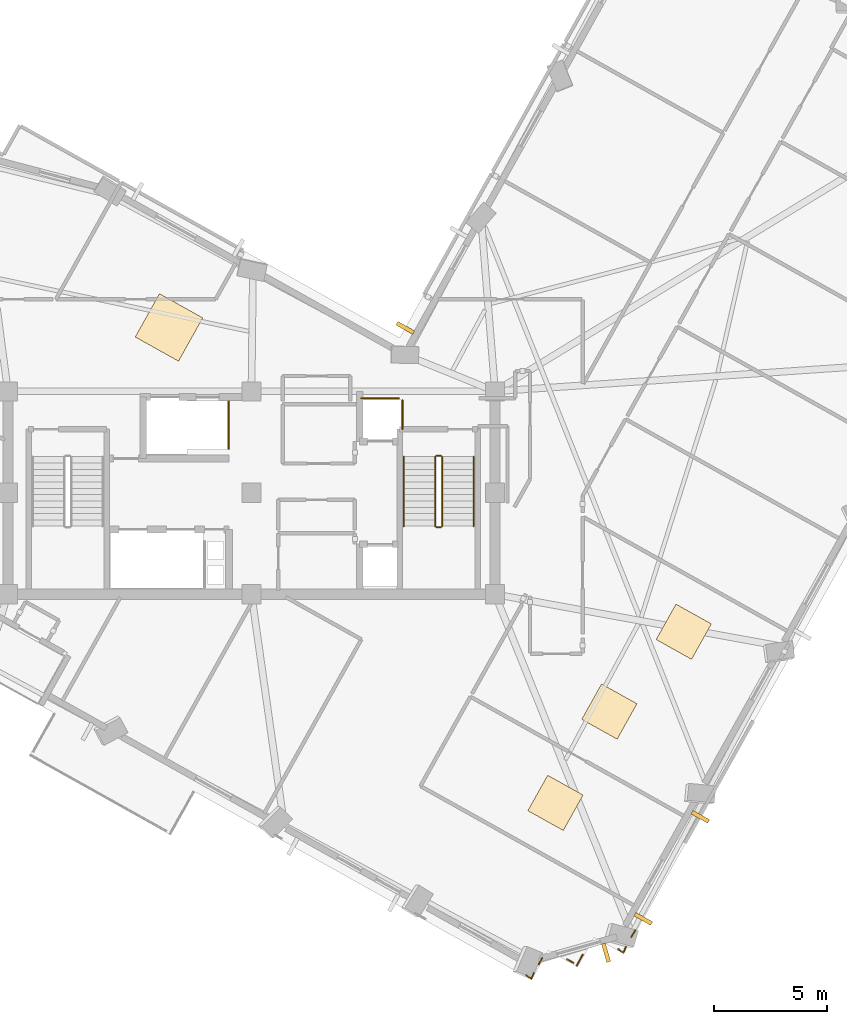
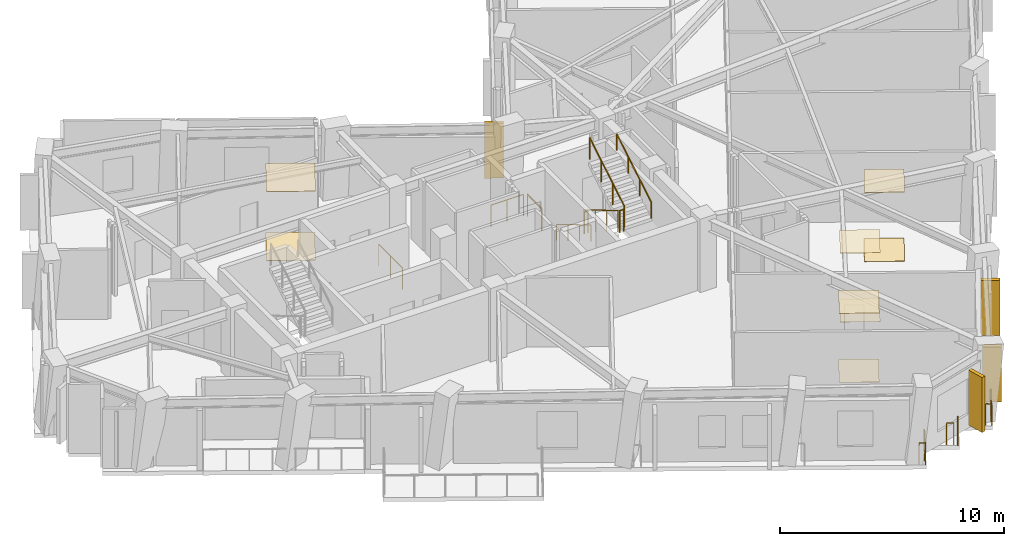
# One storey, part 9 of 11: 15 railings, 8 coverings, 4 shading devices.
"""IFC4 building model written with IfcOpenShell, lengths in metres."""

from ifc_helpers import new_model, si_unit, direction, frame, origin, origin_2d, place, context, subcontext, project, spatial, rectangle, circle, extrude, material, layer, layer_set, type_object, element, save


model = new_model("IFC4")

# Units and contexts
model_context = context("Model", 3, precision=1e-05, world=origin(), true_north=direction((0.0, 1.0)))
body_context = subcontext(model_context, "Body", "Model", "MODEL_VIEW")
ifc_project = project(units=[si_unit("LENGTHUNIT", "METRE"), si_unit("AREAUNIT", "SQUARE_METRE"), si_unit("VOLUMEUNIT", "CUBIC_METRE"), si_unit("PLANEANGLEUNIT", "RADIAN"), si_unit("MASSUNIT", "GRAM", prefix="KILO")], contexts=[model_context])

# Site, building, storey
site_placement = place(None, origin())
site = spatial("IfcSite", under=ifc_project, at=site_placement, CompositionType="ELEMENT")
building_placement = place(site_placement, origin())
building = spatial("IfcBuilding", under=site, at=building_placement, Name="Gaonmaruhae Medical Tower", CompositionType="ELEMENT")
storey_placement = place(building_placement, frame((0.0, 0.0, 284.60009765625)))
storey = spatial("IfcBuildingStorey", under=building, at=storey_placement, Name="L68", CompositionType="ELEMENT", Elevation=284.60009765625)

# Coverings
ifc_material_1 = material(Name="Acoustic mineral ceiling tile", Category="finish")
ifc_layer_1 = layer(ifc_material_1, 0.02490234375)
ifc_layer_set_1 = layer_set([ifc_layer_1], Name="Acoustic mineral ceiling tile")
covering_type_1 = type_object("IfcCoveringType", Name="CLG-01 Antimicrobial Acoustic Mineral Ceiling", PredefinedType="CEILING", material=ifc_layer_set_1)
covering_1_placement = place(storey_placement, frame((21.141845703125, 19.633544921875, 3.7548828125), z_axis=(0.0, 0.0, 1.0), x_axis=(0.487859659139, 0.87292207727, 0.0)))
element("IfcCovering", 1, at=covering_1_placement, inside=storey, type_object=covering_type_1, Name="L68 Clinical Corridor Acoustic Ceiling", PredefinedType="CEILING", context=body_context, shape_type="SweptSolid", body=[
    extrude(rectangle(XDim=2.199951171875, YDim=2.199951171875, at=origin_2d()), origin(), (0.0, 0.0, 1.0), 0.02490234375),
])
for number, where, z_axis, x_axis, name in (
    (2, (38.279052734375, -1.4482421875, 3.7548828125), (0.0, 0.0, 1.0), (0.487859659139, 0.87292207727, 0.0), "L68 Clinical Room Acoustic Ceiling 2"),
    (3, (40.66796875, 2.6005859375, 3.7548828125), (0.0, 0.0, 1.0), (0.487859659139, 0.87292207727, 0.0), "L68 Clinical Room Acoustic Ceiling 3"),
    (4, (43.967529296875, 6.140869140625, 3.7548828125), (0.0, 0.0, 1.0), (0.487859659139, 0.87292207727, 0.0), "L68 Clinical Room Acoustic Ceiling 4"),
):
    element("IfcCovering", number, at=place(storey_placement, frame(where, z_axis=z_axis, x_axis=x_axis)), inside=storey, type_object=covering_type_1, Name=name, PredefinedType="CEILING", context=body_context, shape_type="SweptSolid", body=[
        extrude(rectangle(XDim=1.800048828125, YDim=1.800048828125, at=origin_2d()), origin(), (0.0, 0.0, 1.0), 0.02490234375),
    ])
ifc_material_2 = material(Name="Seamless clinical vinyl flooring", Category="finish")
ifc_layer_2 = layer(ifc_material_2, 0.014892578125)
ifc_layer_set_2 = layer_set([ifc_layer_2], Name="Seamless clinical vinyl flooring")
covering_type_2 = type_object("IfcCoveringType", Name="FLR-01 Seamless Clinical Antistatic Vinyl Flooring", PredefinedType="FLOORING", material=ifc_layer_set_2)
covering_2_placement = place(storey_placement, frame((21.141845703125, 19.633544921875, 0.00048828125), z_axis=(0.0, 0.0, 1.0), x_axis=(0.487859659139, 0.87292207727, 0.0)))
element("IfcCovering", 5, at=covering_2_placement, inside=storey, type_object=covering_type_2, Name="L68 Clinical Corridor Vinyl Flooring", PredefinedType="FLOORING", context=body_context, shape_type="SweptSolid", body=[
    extrude(rectangle(XDim=2.199951171875, YDim=2.199951171875, at=origin_2d()), origin(), (0.0, 0.0, 1.0), 0.014892578125),
])
for number, where, z_axis, x_axis, name in (
    (6, (38.279052734375, -1.4482421875, 0.0), (0.0, 0.0, 1.0), (0.487859659139, 0.87292207727, 0.0), "L68 Clinical Room Vinyl Flooring 2"),
    (7, (40.66796875, 2.6005859375, 0.0), (0.0, 0.0, 1.0), (0.487859659139, 0.87292207727, 0.0), "L68 Clinical Room Vinyl Flooring 3"),
    (8, (43.967529296875, 6.140869140625, 0.0), (0.0, 0.0, 1.0), (0.487859659139, 0.87292207727, 0.0), "L68 Clinical Room Vinyl Flooring 4"),
):
    element("IfcCovering", number, at=place(storey_placement, frame(where, z_axis=z_axis, x_axis=x_axis)), inside=storey, type_object=covering_type_2, Name=name, PredefinedType="FLOORING", context=body_context, shape_type="SweptSolid", body=[
        extrude(rectangle(XDim=1.800048828125, YDim=1.800048828125, at=origin_2d()), origin(), (0.0, 0.0, 1.0), 0.014892578125),
    ])

# Railings
ifc_material_3 = material(Name="Stainless steel 316L and laminated safety glass", Category="steel")
ifc_layer_3 = layer(ifc_material_3, 0.080078125)
ifc_layer_set_3 = layer_set([ifc_layer_3], Name="Stainless steel 316L and laminated safety glass")
railing_type_1 = type_object("IfcRailingType", Name="GD-120 Outdoor Terrace Safety Glass & Steel Balustrade", PredefinedType="BALUSTRADE", material=ifc_layer_set_3)
railing_1_placement = place(storey_placement, frame((41.810302734375, -7.1005859375, 0.0)))
element("IfcRailing", 9, at=railing_1_placement, inside=storey, type_object=railing_type_1, Name="L68 Perimeter Slab Edge Safety Balustrade 05", PredefinedType="BALUSTRADE", context=body_context, shape_type="SweptSolid", body=[
    extrude(circle(Radius=0.02392578125, at=origin_2d()), frame((0.0, 0.0, 1.17578125), z_axis=(-0.487837460282, -0.872934483421, 0.0), x_axis=(0.872934483421, -0.487837460282, 0.0)), (0.0, 0.0, 1.0), 0.33984375),
    extrude(circle(Radius=0.02099609375, at=origin_2d()), origin(), (0.0, 0.0, 1.0), 1.15185546875),
    extrude(circle(Radius=0.02099609375, at=origin_2d()), frame((-0.165771484375, -0.296630859375, 0.0)), (0.0, 0.0, 1.0), 1.15185546875),
])
railing_2_placement = place(storey_placement, frame((39.48681640625, -8.183349609375, 0.0)))
element("IfcRailing", 10, at=railing_2_placement, inside=storey, type_object=railing_type_1, Name="L68 Perimeter Slab Edge Safety Balustrade 06", PredefinedType="BALUSTRADE", context=body_context, shape_type="SweptSolid", body=[
    extrude(circle(Radius=0.02392578125, at=origin_2d()), frame((0.0, 0.0, 1.17578125), z_axis=(-0.487899533544, -0.872899791023, 0.0), x_axis=(0.872899791023, -0.487899533544, 0.0)), (0.0, 0.0, 1.0), 0.56005859375),
    extrude(circle(Radius=0.02099609375, at=origin_2d()), origin(), (0.0, 0.0, 1.0), 1.15185546875),
    extrude(circle(Radius=0.02099609375, at=origin_2d()), frame((-0.273193359375, -0.48876953125, 0.0)), (0.0, 0.0, 1.0), 1.15185546875),
])
railing_3_placement = place(storey_placement, frame((39.077880859375, -8.5390625, 0.0)))
element("IfcRailing", 11, at=railing_3_placement, inside=storey, type_object=railing_type_1, Name="L68 Perimeter Slab Edge Safety Balustrade 07", PredefinedType="BALUSTRADE", context=body_context, shape_type="SweptSolid", body=[
    extrude(circle(Radius=0.02392578125, at=origin_2d()), frame((0.0, 0.0, 1.17578125), z_axis=(-0.873168105666, 0.487419182273, 0.0), x_axis=(-0.487419182273, -0.873168105666, 0.0)), (0.0, 0.0, 1.0), 0.32666015625),
    extrude(circle(Radius=0.02099609375, at=origin_2d()), origin(), (0.0, 0.0, 1.0), 1.15185546875),
    extrude(circle(Radius=0.02099609375, at=origin_2d()), frame((-0.28515625, 0.1591796875, 0.0)), (0.0, 0.0, 1.0), 1.15185546875),
])
railing_4_placement = place(storey_placement, frame((37.689697265625, -8.324462890625, 0.0)))
element("IfcRailing", 12, at=railing_4_placement, inside=storey, type_object=railing_type_1, Name="L68 Perimeter Slab Edge Safety Balustrade 08", PredefinedType="BALUSTRADE", context=body_context, shape_type="SweptSolid", body=[
    extrude(circle(Radius=0.02392578125, at=origin_2d()), frame((0.0, 0.0, 1.17578125), z_axis=(-0.487988839134, -0.872849868466, 0.0), x_axis=(0.872849868466, -0.487988839134, 0.0)), (0.0, 0.0, 1.0), 0.32666015625),
    extrude(circle(Radius=0.02099609375, at=origin_2d()), origin(), (0.0, 0.0, 1.0), 1.15185546875),
    extrude(circle(Radius=0.02099609375, at=origin_2d()), frame((-0.159423828125, -0.28515625, 0.0)), (0.0, 0.0, 1.0), 1.15185546875),
])
railing_5_placement = place(storey_placement, frame((41.401123046875, -7.832763671875, 0.0)))
element("IfcRailing", 13, at=railing_5_placement, inside=storey, type_object=railing_type_1, Name="L68 Perimeter Corner Safety Balustrade 14", PredefinedType="BALUSTRADE", context=body_context, shape_type="SweptSolid", body=[
    extrude(circle(Radius=0.02392578125, at=origin_2d()), frame((0.0, 0.0, 1.17578125), z_axis=(-0.378268727603, -0.925695830021, 0.0), x_axis=(0.925695830021, -0.378268727603, 0.0)), (0.0, 0.0, 1.0), 0.287109375),
    extrude(circle(Radius=0.02392578125, at=origin_2d()), frame((-0.108642578125, -0.265869140625, 1.17578125), z_axis=(-0.807188480493, 0.590293788685, 0.0), x_axis=(-0.590293788685, -0.807188480493, 0.0)), (0.0, 0.0, 1.0), 0.287109375),
    extrude(circle(Radius=0.02099609375, at=origin_2d()), origin(), (0.0, 0.0, 1.0), 1.15185546875),
    extrude(circle(Radius=0.02099609375, at=origin_2d()), frame((-0.108642578125, -0.265869140625, 0.0)), (0.0, 0.0, 1.0), 1.15185546875),
    extrude(circle(Radius=0.02099609375, at=origin_2d()), frame((-0.34033203125, -0.096435546875, 0.0)), (0.0, 0.0, 1.0), 1.15185546875),
])
railing_6_placement = place(storey_placement, frame((37.31884765625, -8.98779296875, 0.0)))
element("IfcRailing", 14, at=railing_6_placement, inside=storey, type_object=railing_type_1, Name="L68 Perimeter Corner Safety Balustrade 15", PredefinedType="BALUSTRADE", context=body_context, shape_type="SweptSolid", body=[
    extrude(circle(Radius=0.02392578125, at=origin_2d()), frame((0.0, 0.0, 1.17578125), z_axis=(-0.377971289874, -0.92581731677, 0.0), x_axis=(0.92581731677, -0.377971289874, 0.0)), (0.0, 0.0, 1.0), 0.287353515625),
    extrude(circle(Radius=0.02392578125, at=origin_2d()), frame((-0.108642578125, -0.26611328125, 1.17578125), z_axis=(-0.806783216958, 0.590847561418, 0.0), x_axis=(-0.590847561418, -0.806783216958, 0.0)), (0.0, 0.0, 1.0), 0.287109375),
    extrude(circle(Radius=0.02099609375, at=origin_2d()), origin(), (0.0, 0.0, 1.0), 1.15185546875),
    extrude(circle(Radius=0.02099609375, at=origin_2d()), frame((-0.108642578125, -0.26611328125, 0.0)), (0.0, 0.0, 1.0), 1.15185546875),
    extrude(circle(Radius=0.02099609375, at=origin_2d()), frame((-0.34033203125, -0.096435546875, 0.0)), (0.0, 0.0, 1.0), 1.15185546875),
])
ifc_material_4 = material(Name="Stainless steel 304 handrail", Category="steel")
railing_type_2 = type_object("IfcRailingType", Name="HR-092 Continuous Stainless Steel Stair Handrail", PredefinedType="HANDRAIL", material=ifc_material_4)
railing_7_placement = place(storey_placement, frame((31.550048828125, 13.89990234375, 0.16650390625)))
element("IfcRailing", 15, at=railing_7_placement, inside=storey, type_object=railing_type_2, Name="L68 ST-02 stair handrail 1", PredefinedType="HANDRAIL", context=body_context, shape_type="SweptSolid", body=[
    extrude(circle(Radius=0.02392578125, at=origin_2d()), frame((0.0, 0.0, 0.8759765625), z_axis=(0.0, -0.859260807169, 0.511537745687), x_axis=(1.0, 0.0, 0.0)), (0.0, 0.0, 1.0), 3.584228515625),
    extrude(circle(Radius=0.02099609375, at=origin_2d()), origin(), (0.0, 0.0, 1.0), 0.851806640625),
    extrude(circle(Radius=0.02099609375, at=origin_2d()), frame((0.0, -1.026611328125, 0.611083984375)), (0.0, 0.0, 1.0), 0.851806640625),
    extrude(circle(Radius=0.02099609375, at=origin_2d()), frame((0.0, -2.05322265625, 1.222412109375)), (0.0, 0.0, 1.0), 0.851806640625),
    extrude(circle(Radius=0.02099609375, at=origin_2d()), frame((0.0, -3.079833984375, 1.83349609375)), (0.0, 0.0, 1.0), 0.851806640625),
])
railing_8_placement = place(storey_placement, frame((34.64990234375, 10.820068359375, 2.16650390625)))
element("IfcRailing", 16, at=railing_8_placement, inside=storey, type_object=railing_type_2, Name="L68 ST-02 stair handrail 2", PredefinedType="HANDRAIL", context=body_context, shape_type="SweptSolid", body=[
    extrude(circle(Radius=0.02392578125, at=origin_2d()), frame((0.0, 0.0, 0.8759765625), z_axis=(0.0, 0.859260807169, 0.511537745687), x_axis=(-1.0, 0.0, 0.0)), (0.0, 0.0, 1.0), 3.584228515625),
    extrude(circle(Radius=0.02099609375, at=origin_2d()), origin(), (0.0, 0.0, 1.0), 0.851806640625),
    extrude(circle(Radius=0.02099609375, at=origin_2d()), frame((0.0, 1.026611328125, 0.611083984375)), (0.0, 0.0, 1.0), 0.851806640625),
    extrude(circle(Radius=0.02099609375, at=origin_2d()), frame((0.0, 2.05322265625, 1.222412109375)), (0.0, 0.0, 1.0), 0.851806640625),
    extrude(circle(Radius=0.02099609375, at=origin_2d()), frame((0.0, 3.079833984375, 1.83349609375)), (0.0, 0.0, 1.0), 0.851806640625),
])

# Shading devices
ifc_material_5 = material(Name="Pigmented coral precast concrete C45/55", Category="concrete")
shading_device_type = type_object("IfcShadingDeviceType", Name="SD-FIN1 Tower Vertical Coral Precast Shading Fin", PredefinedType="USERDEFINED", material=ifc_material_5)
for number, where, z_axis, x_axis, name in (
    (17, (44.69921875, -2.064697265625, 0.13232421875), (0.0, 0.0, 1.0), (-0.487859659139, -0.87292207727, 0.0), "L68 Vertical Coral Precast Shading Fin S01"),
    (18, (42.169921875, -6.5908203125, 0.13232421875), (0.0, 0.0, 1.0), (-0.487859659139, -0.87292207727, 0.0), "L68 Vertical Coral Precast Shading Fin S01B"),
    (19, (31.622314453125, 19.611083984375, 0.13232421875), (0.0, 0.0, 1.0), (0.487859659139, 0.87292207727, 0.0), "L68 Vertical Coral Precast Shading Fin EN02"),
    (20, (40.5224609375, -8.08935546875, 0.13232421875), (0.0, 0.0, 1.0), (-0.96222274557, -0.272263453127, 0.0), "L68 Vertical Coral Precast Shading Fin W06"),
):
    element("IfcShadingDevice", number, at=place(storey_placement, frame(where, z_axis=z_axis, x_axis=x_axis)), inside=storey, type_object=shading_device_type, Name=name, ObjectType="FIN", PredefinedType="USERDEFINED", context=body_context, shape_type="SweptSolid", body=[
        extrude(rectangle(XDim=0.179931640625, YDim=0.85009765625, at=origin_2d()), origin(), (0.0, 0.0, 1.0), 3.0),
    ])

# Railings
ifc_material_6 = material(Name="Stainless steel 304 balustrade", Category="steel")
railing_type_3 = type_object("IfcRailingType", Name="SG-112 Stair Well & Ramp Void Safety Balustrade", PredefinedType="BALUSTRADE", material=ifc_material_6)
railing_9_placement = place(storey_placement, frame((32.949951171875, 13.89990234375, 0.16650390625)))
element("IfcRailing", 21, at=railing_9_placement, inside=storey, type_object=railing_type_3, Name="L68 ST-02 stair guard 1", PredefinedType="BALUSTRADE", context=body_context, shape_type="SweptSolid", body=[
    extrude(circle(Radius=0.02392578125, at=origin_2d()), frame((0.0, 0.0, 1.17578125), z_axis=(0.0, -0.859260807169, 0.511537745687), x_axis=(1.0, 0.0, 0.0)), (0.0, 0.0, 1.0), 3.584228515625),
    extrude(circle(Radius=0.02099609375, at=origin_2d()), origin(), (0.0, 0.0, 1.0), 1.15185546875),
    extrude(circle(Radius=0.02099609375, at=origin_2d()), frame((0.0, -1.026611328125, 0.611083984375)), (0.0, 0.0, 1.0), 1.15185546875),
    extrude(circle(Radius=0.02099609375, at=origin_2d()), frame((0.0, -2.05322265625, 1.222412109375)), (0.0, 0.0, 1.0), 1.15185546875),
    extrude(circle(Radius=0.02099609375, at=origin_2d()), frame((0.0, -3.079833984375, 1.83349609375)), (0.0, 0.0, 1.0), 1.15185546875),
])
railing_10_placement = place(storey_placement, frame((33.0, 10.77001953125, 2.0)))
element("IfcRailing", 22, at=railing_10_placement, inside=storey, type_object=railing_type_3, Name="L68 ST-02 stair guard 2", PredefinedType="BALUSTRADE", context=body_context, shape_type="SweptSolid", body=[
    extrude(circle(Radius=0.02392578125, at=origin_2d()), frame((0.0, 0.0, 1.17578125), z_axis=(1.0, 0.0, 0.0), x_axis=(0.0, 1.0, 0.0)), (0.0, 0.0, 1.0), 0.199951171875),
    extrude(circle(Radius=0.02099609375, at=origin_2d()), origin(), (0.0, 0.0, 1.0), 1.15185546875),
    extrude(circle(Radius=0.02099609375, at=origin_2d()), frame((0.199951171875, 0.0, 0.0)), (0.0, 0.0, 1.0), 1.15185546875),
])
railing_11_placement = place(storey_placement, frame((33.25, 10.820068359375, 2.16650390625)))
element("IfcRailing", 23, at=railing_11_placement, inside=storey, type_object=railing_type_3, Name="L68 ST-02 stair guard 3", PredefinedType="BALUSTRADE", context=body_context, shape_type="SweptSolid", body=[
    extrude(circle(Radius=0.02392578125, at=origin_2d()), frame((0.0, 0.0, 1.17578125), z_axis=(0.0, 0.859260807169, 0.511537745687), x_axis=(-1.0, 0.0, 0.0)), (0.0, 0.0, 1.0), 3.584228515625),
    extrude(circle(Radius=0.02099609375, at=origin_2d()), origin(), (0.0, 0.0, 1.0), 1.15185546875),
    extrude(circle(Radius=0.02099609375, at=origin_2d()), frame((0.0, 1.026611328125, 0.611083984375)), (0.0, 0.0, 1.0), 1.15185546875),
    extrude(circle(Radius=0.02099609375, at=origin_2d()), frame((0.0, 2.05322265625, 1.222412109375)), (0.0, 0.0, 1.0), 1.15185546875),
    extrude(circle(Radius=0.02099609375, at=origin_2d()), frame((0.0, 3.079833984375, 1.83349609375)), (0.0, 0.0, 1.0), 1.15185546875),
])
railing_12_placement = place(storey_placement, frame((33.0, 13.949951171875, 0.0)))
element("IfcRailing", 24, at=railing_12_placement, inside=storey, type_object=railing_type_3, Name="L68 ST-02 stair guard 4", PredefinedType="BALUSTRADE", context=body_context, shape_type="SweptSolid", body=[
    extrude(circle(Radius=0.02392578125, at=origin_2d()), frame((0.0, 0.0, 1.17578125), z_axis=(1.0, 0.0, 0.0), x_axis=(0.0, 1.0, 0.0)), (0.0, 0.0, 1.0), 0.199951171875),
    extrude(circle(Radius=0.02099609375, at=origin_2d()), origin(), (0.0, 0.0, 1.0), 1.15185546875),
    extrude(circle(Radius=0.02099609375, at=origin_2d()), frame((0.199951171875, 0.0, 0.0)), (0.0, 0.0, 1.0), 1.15185546875),
])
railing_13_placement = place(storey_placement, frame((23.794921875, 16.35498046875, 0.0)))
element("IfcRailing", 25, at=railing_13_placement, inside=storey, type_object=railing_type_3, Name="L68 Shaft Edge Safety Guard 17", PredefinedType="BALUSTRADE", context=body_context, shape_type="SweptSolid", body=[
    extrude(circle(Radius=0.02392578125, at=origin_2d()), frame((0.0, 0.0, 1.17578125), z_axis=(0.0, -1.0, 0.0), x_axis=(1.0, 0.0, 0.0)), (0.0, 0.0, 1.0), 2.10986328125),
    extrude(circle(Radius=0.02099609375, at=origin_2d()), origin(), (0.0, 0.0, 1.0), 1.15185546875),
    extrude(circle(Radius=0.02099609375, at=origin_2d()), frame((0.0, -1.054931640625, 0.0)), (0.0, 0.0, 1.0), 1.15185546875),
    extrude(circle(Radius=0.02099609375, at=origin_2d()), frame((0.0, -2.10986328125, 0.0)), (0.0, 0.0, 1.0), 1.15185546875),
])
railing_14_placement = place(storey_placement, frame((31.4951171875, 16.405029296875, 0.0)))
element("IfcRailing", 26, at=railing_14_placement, inside=storey, type_object=railing_type_3, Name="L68 Shaft Edge Safety Guard 18", PredefinedType="BALUSTRADE", context=body_context, shape_type="SweptSolid", body=[
    extrude(circle(Radius=0.02392578125, at=origin_2d()), frame((0.0, 0.0, 1.17578125), z_axis=(0.0, -1.0, 0.0), x_axis=(1.0, 0.0, 0.0)), (0.0, 0.0, 1.0), 1.284912109375),
    extrude(circle(Radius=0.02099609375, at=origin_2d()), origin(), (0.0, 0.0, 1.0), 1.15185546875),
    extrude(circle(Radius=0.02099609375, at=origin_2d()), frame((0.0, -1.284912109375, 0.0)), (0.0, 0.0, 1.0), 1.15185546875),
])
railing_15_placement = place(storey_placement, frame((29.6630859375, 16.4951171875, 0.0)))
element("IfcRailing", 27, at=railing_15_placement, inside=storey, type_object=railing_type_3, Name="L68 Shaft Edge Safety Guard 19", PredefinedType="BALUSTRADE", context=body_context, shape_type="SweptSolid", body=[
    extrude(circle(Radius=0.02392578125, at=origin_2d()), frame((0.0, 0.0, 1.17578125), z_axis=(1.0, 0.0, 0.0), x_axis=(0.0, 1.0, 0.0)), (0.0, 0.0, 1.0), 1.673828125),
    extrude(circle(Radius=0.02099609375, at=origin_2d()), origin(), (0.0, 0.0, 1.0), 1.15185546875),
    extrude(circle(Radius=0.02099609375, at=origin_2d()), frame((0.8369140625, 0.0, 0.0)), (0.0, 0.0, 1.0), 1.15185546875),
    extrude(circle(Radius=0.02099609375, at=origin_2d()), frame((1.673828125, 0.0, 0.0)), (0.0, 0.0, 1.0), 1.15185546875),
])

save(model, "model.ifc")
